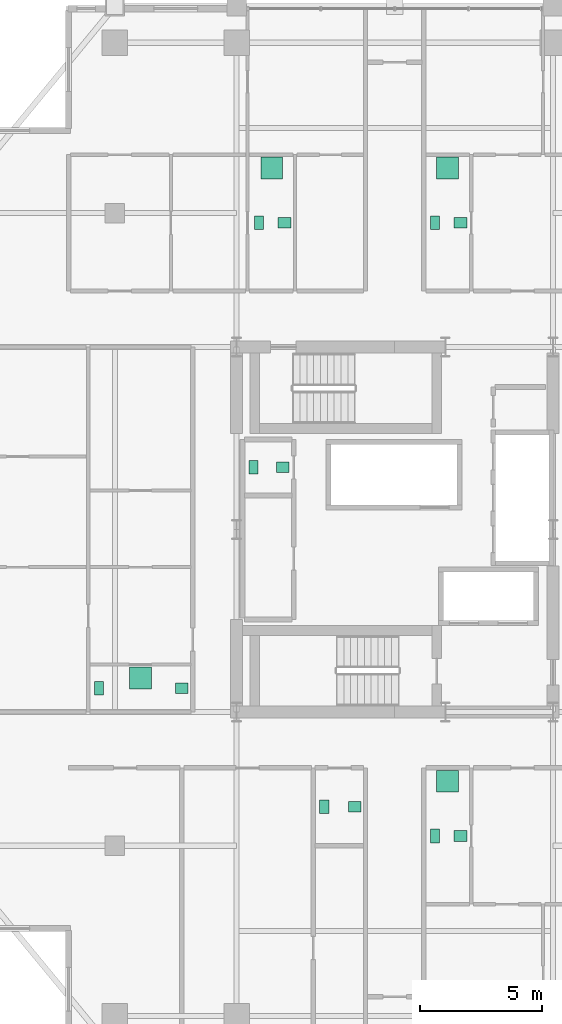
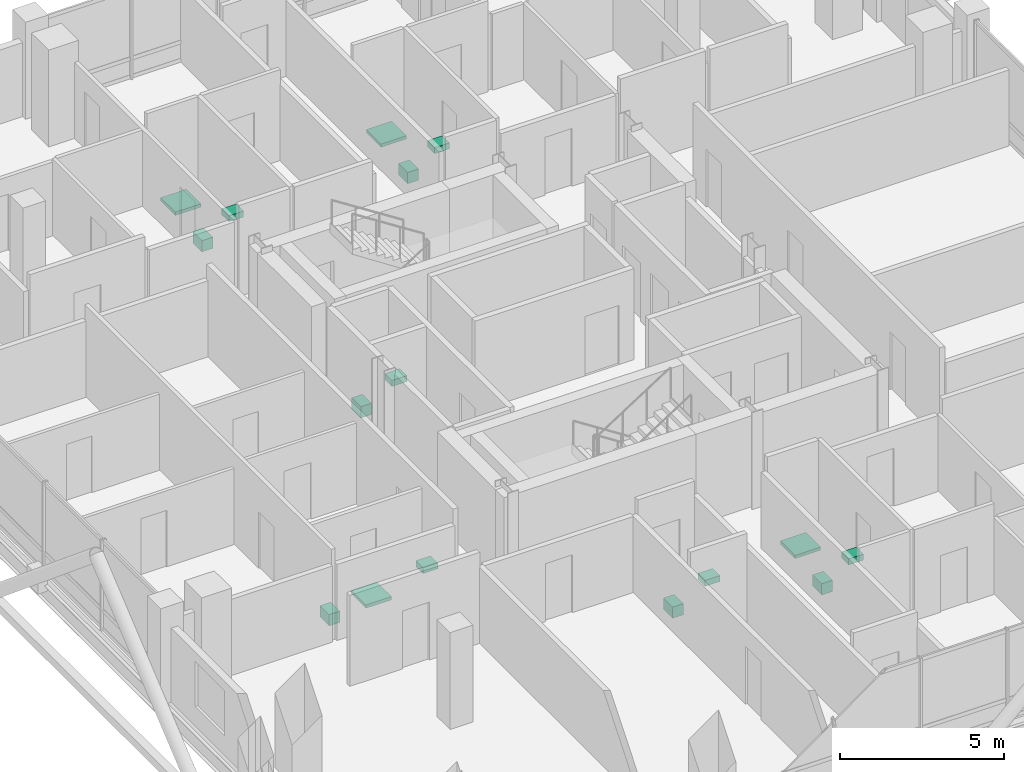
# One storey, part 26 of 26: 16 sanitary terminals.
"""IFC4 building model written with IfcOpenShell, lengths in metres."""

import ifcopenshell
import ifcopenshell.guid

model = None  # the IFC model being written
_history = None  # IfcOwnerHistory: only IFC2X3 demands one
_inside = {}  # id of a spatial element -> (the spatial element, [elements in it])
_under = {}  # id of a project, library or spatial element -> (it, [spatial elements below it])
_declared = {}  # id of a project -> (the project, [libraries it declares])
_typed = {}  # id of a type object -> (the type object, [elements of that type])
_made_of = {}  # id of a material, layer set ... -> (it, [elements and type objects made of it])


def new_model(schema):
    """Start an empty IFC model of exactly this schema.

    Asked for "IFC4X3", IfcOpenShell would pick the latest addendum, in which some entities
    have other attributes; the version numbers below select the first issue.
    IFC2X3 requires an IfcOwnerHistory on every rooted entity: one is made here for all.
    """
    global model, _history
    if schema == "IFC4X3":
        model = ifcopenshell.file(schema_version=(4, 3, 0, 0))
    else:
        model = ifcopenshell.file(schema=schema)
    _inside.clear()
    _under.clear()
    _declared.clear()
    _typed.clear()
    _made_of.clear()
    _history = None
    if model.schema == "IFC2X3":
        org = make("IfcOrganization", Name="unknown")
        user = make(
            "IfcPersonAndOrganization",
            ThePerson=make("IfcPerson", FamilyName="unknown"),
            TheOrganization=org,
        )
        app = make(
            "IfcApplication",
            ApplicationDeveloper=org,
            Version="unknown",
            ApplicationFullName="unknown",
            ApplicationIdentifier="unknown",
        )
        _history = make(
            "IfcOwnerHistory",
            OwningUser=user,
            OwningApplication=app,
            ChangeAction="ADDED",
            CreationDate=0,
        )
    return model


def make(cls, **values):
    """One entity of the class cls with the attributes given. An attribute that is None is left unset."""
    return model.create_entity(
        cls, **{name: value for name, value in values.items() if value is not None}
    )


def rooted(cls, **values):
    """An entity with a GlobalId (a new one), such as an element, a storey or a relation."""
    return make(cls, GlobalId=ifcopenshell.guid.new(), OwnerHistory=_history, **values)


def si_unit(unit_type, name, prefix=None):
    """IfcSIUnit, for example si_unit("LENGTHUNIT", "METRE", prefix="MILLI")."""
    return make("IfcSIUnit", UnitType=unit_type, Prefix=prefix, Name=name)


def assignment(units):
    """IfcUnitAssignment: the units of a project."""
    return None if units is None else make("IfcUnitAssignment", Units=units)


def point(xyz):
    """IfcCartesianPoint."""
    return None if xyz is None else make("IfcCartesianPoint", Coordinates=xyz)


def direction(xyz):
    """IfcDirection."""
    return None if xyz is None else make("IfcDirection", DirectionRatios=xyz)


def frame(location, z_axis=None, x_axis=None):
    """IfcAxis2Placement3D, a coordinate frame: its origin and axes. An axis left out is left unset."""
    return make(
        "IfcAxis2Placement3D",
        Location=point(location),
        Axis=direction(z_axis),
        RefDirection=direction(x_axis),
    )


def frame_2d(location, x_axis=None):
    """IfcAxis2Placement2D, a coordinate frame in the plane: its origin and x axis."""
    return make(
        "IfcAxis2Placement2D", Location=point(location), RefDirection=direction(x_axis)
    )


def origin():
    """The frame at (0, 0, 0) with its axes left unset."""
    return frame((0.0, 0.0, 0.0))


def origin_2d():
    """The frame at (0, 0) in the plane with its x axis left unset."""
    return frame_2d((0.0, 0.0))


def place(relative_to, where):
    """IfcLocalPlacement: puts the frame where relative to a parent placement (None: the world)."""
    return make(
        "IfcLocalPlacement", PlacementRelTo=relative_to, RelativePlacement=where
    )


def context(
    kind, dimensions, precision=None, world=None, true_north=None, identifier=None
):
    """IfcGeometricRepresentationContext, for example the 3D "Model" context."""
    return make(
        "IfcGeometricRepresentationContext",
        ContextIdentifier=identifier,
        ContextType=kind,
        CoordinateSpaceDimension=dimensions,
        Precision=precision,
        WorldCoordinateSystem=world,
        TrueNorth=true_north,
    )


def subcontext(parent, identifier, kind, view, scale=None):
    """IfcGeometricRepresentationSubContext, for example "Body" below "Model"."""
    return make(
        "IfcGeometricRepresentationSubContext",
        ContextIdentifier=identifier,
        ContextType=kind,
        ParentContext=parent,
        TargetScale=scale,
        TargetView=view,
    )


def project(units=None, contexts=None):
    """IfcProject with its units and contexts."""
    return rooted(
        "IfcProject",
        Name="project",
        RepresentationContexts=contexts,
        UnitsInContext=assignment(units),
    )


def spatial(cls, under=None, at=None, **own):
    """A site, building, storey or space (cls), placed at a placement, below another one or the project."""
    s = rooted(cls, ObjectPlacement=at, **own)
    if under is not None:
        _under.setdefault(under.id(), (under, []))[1].append(s)
    return s


def profile(cls, at=None, kind="AREA", **sizes):
    """A parametric profile (cls). Its sizes go by their IFC names, for example OverallWidth=200.0."""
    return make(cls, ProfileType=kind, Position=at, **sizes)


def rectangle(**sizes):
    """IfcRectangleProfileDef."""
    return profile("IfcRectangleProfileDef", **sizes)


def extrude(swept, where, along, depth):
    """IfcExtrudedAreaSolid: the profile swept, set in the frame where, extruded along a direction by depth."""
    return make(
        "IfcExtrudedAreaSolid",
        SweptArea=swept,
        Position=where,
        ExtrudedDirection=direction(along),
        Depth=depth,
    )


def shape(context_of_items, identifier, shape_type, items):
    """IfcShapeRepresentation: the items that make up one representation, for example the "Body"."""
    return make(
        "IfcShapeRepresentation",
        ContextOfItems=context_of_items,
        RepresentationIdentifier=identifier,
        RepresentationType=shape_type,
        Items=items,
    )


def material(Name=None, Category=None):
    """IfcMaterial."""
    return make("IfcMaterial", Name=Name, Category=Category)


def made_of(thing, what):
    """Note that an element or type object is made of a material, layer set ...; save() writes the relation."""
    if what is not None:
        _made_of.setdefault(what.id(), (what, []))[1].append(thing)
    return thing


def type_object(cls, material=None, **own):
    """A type object (cls), such as IfcWallType, which elements share."""
    return made_of(rooted(cls, **own), material)


def element(
    cls,
    number,
    at=None,
    inside=None,
    cuts=None,
    type_object=None,
    material=None,
    context=None,
    identifier="Body",
    shape_type=None,
    held_by="IfcProductDefinitionShape",
    body=None,
    shapes=None,
    **own,
):
    """One element of the class cls, such as IfcWall. Its Tag is "e" and its number.

    at: its placement. inside: the storey or other place that contains it. cuts: it is an
    opening in that element (IfcRelVoidsElement). A single representation is given by context,
    identifier, shape_type and body (its items); several are given by shapes. held_by: the class
    of the entity that holds the representations. save() writes the other relations.
    """
    e = rooted(cls, Tag="e%d" % number, ObjectPlacement=at, **own)
    if body is not None:
        shapes = [shape(context, identifier, shape_type, body)]
    if shapes is not None:
        e.Representation = make(held_by, Representations=shapes)
    if inside is not None:
        _inside.setdefault(inside.id(), (inside, []))[1].append(e)
    if cuts is not None:
        rooted(
            "IfcRelVoidsElement", RelatingBuildingElement=cuts, RelatedOpeningElement=e
        )
    if type_object is not None:
        _typed.setdefault(type_object.id(), (type_object, []))[1].append(e)
    return made_of(e, material)


def aggregate(whole, parts):
    """IfcRelAggregates: a whole, such as a stair, and the parts it consists of."""
    return rooted("IfcRelAggregates", RelatingObject=whole, RelatedObjects=parts)


def save(model, path):
    """Write the relations noted so far, then the file.

    IfcRelAggregates (storeys below a building ...), IfcRelContainedInSpatialStructure (elements
    in a storey), IfcRelDefinesByType, IfcRelAssociatesMaterial and IfcRelDeclares: one each for
    every whole, place, type object, material and project.
    """
    for whole, parts in _under.values():
        aggregate(whole, parts)
    for where, things in _inside.values():
        rooted(
            "IfcRelContainedInSpatialStructure",
            RelatedElements=things,
            RelatingStructure=where,
        )
    for kind, things in _typed.values():
        rooted("IfcRelDefinesByType", RelatedObjects=things, RelatingType=kind)
    for what, things in _made_of.values():
        rooted("IfcRelAssociatesMaterial", RelatedObjects=things, RelatingMaterial=what)
    for by, libraries in _declared.values():
        rooted("IfcRelDeclares", RelatingContext=by, RelatedDefinitions=libraries)
    model.write(path)


model = new_model("IFC4")

# Units and contexts
model_context = context("Model", 3, precision=1e-05, world=origin(), true_north=direction((0.0, 1.0)))
body_context = subcontext(model_context, "Body", "Model", "MODEL_VIEW")
ifc_project = project(units=[si_unit("LENGTHUNIT", "METRE"), si_unit("AREAUNIT", "SQUARE_METRE"), si_unit("VOLUMEUNIT", "CUBIC_METRE"), si_unit("PLANEANGLEUNIT", "RADIAN"), si_unit("MASSUNIT", "GRAM", prefix="KILO")], contexts=[model_context])

# Site, building, storey
site_placement = place(None, origin())
site = spatial("IfcSite", under=ifc_project, at=site_placement, CompositionType="ELEMENT")
building_placement = place(site_placement, origin())
building = spatial("IfcBuilding", under=site, at=building_placement, Name="Barlavira Tower and Art Museum", CompositionType="ELEMENT")
storey_placement = place(building_placement, frame((0.0, 0.0, 187.199951171875)))
storey = spatial("IfcBuildingStorey", under=building, at=storey_placement, Name="L48", CompositionType="ELEMENT", Elevation=187.199951171875)

# Sanitary terminals
ifc_material = material(Name="Vitreous glazed ceramic", Category="ceramic")
sanitary_terminal_type_1 = type_object("IfcSanitaryTerminalType", Name="Countertop Ceramic Wash Hand Basin", PredefinedType="WASHHANDBASIN", material=ifc_material)
for number, where, z_axis, x_axis, name in (
    (1, (-4.60009765625, 2.550048828125, 0.740234375), (0.0, 0.0, 1.0), (1.0, 0.0, 0.0), "L48-C-REC1W Wash Basin"),
    (2, (-1.64990234375, -11.39990234375, 0.740234375), (0.0, 0.0, 1.0), (1.0, 0.0, 0.0), "L48-SW-SWC Wash Basin"),
    (3, (2.699951171875, -12.60009765625, 0.740234375), (0.0, 0.0, 1.0), (1.0, 0.0, 0.0), "L48-SE1-BTH1 Wash Basin"),
    (4, (-4.530029296875, 12.60009765625, 0.740234375), (0.0, 0.0, 1.0), (1.0, 0.0, 0.0), "L48-NW1-BTH1 Wash Basin"),
    (5, (2.699951171875, 12.60009765625, 0.740234375), (0.0, 0.0, 1.0), (1.0, 0.0, 0.0), "L48-NE1-BTH1 Wash Basin"),
    (6, (-8.75, -6.52490234375, 0.740234375), (0.0, 0.0, 1.0), (1.0, 0.0, 0.0), "L48-W1-BTH1 Wash Basin"),
):
    element("IfcSanitaryTerminal", number, at=place(storey_placement, frame(where, z_axis=z_axis, x_axis=x_axis)), inside=storey, type_object=sanitary_terminal_type_1, Name=name, PredefinedType="WASHHANDBASIN", context=body_context, shape_type="SweptSolid", body=[
        extrude(rectangle(XDim=0.52001953125, YDim=0.43994140625, at=origin_2d()), origin(), (0.0, 0.0, 1.0), 0.219970703125),
    ])
sanitary_terminal_type_2 = type_object("IfcSanitaryTerminalType", Name="Walk-In Thermostatic Rain Shower Unit", PredefinedType="SHOWER", material=ifc_material)
for number, where, z_axis, x_axis, name in (
    (7, (2.175048828125, -10.35009765625, 0.0), (0.0, 0.0, 1.0), (1.0, 0.0, 0.0), "L48-SE1-BTH1 Rain Shower"),
    (8, (-5.054931640625, 14.85009765625, 0.0), (0.0, 0.0, 1.0), (1.0, 0.0, 0.0), "L48-NW1-BTH1 Rain Shower"),
    (9, (2.175048828125, 14.85009765625, 0.0), (0.0, 0.0, 1.0), (1.0, 0.0, 0.0), "L48-NE1-BTH1 Rain Shower"),
    (10, (-10.449951171875, -6.10009765625, 0.0), (0.0, 0.0, 1.0), (1.0, 0.0, 0.0), "L48-W1-BTH1 Rain Shower"),
):
    element("IfcSanitaryTerminal", number, at=place(storey_placement, frame(where, z_axis=z_axis, x_axis=x_axis)), inside=storey, type_object=sanitary_terminal_type_2, Name=name, PredefinedType="SHOWER", context=body_context, shape_type="SweptSolid", body=[
        extrude(rectangle(XDim=0.89990234375, YDim=0.89990234375, at=origin_2d()), origin(), (0.0, 0.0, 1.0), 0.1201171875),
    ])
sanitary_terminal_type_3 = type_object("IfcSanitaryTerminalType", Name="Wall-Hung Dual-Flush Vitreous WC Pan", PredefinedType="TOILETPAN", material=ifc_material)
for number, where, z_axis, x_axis, name in (
    (11, (-5.800048828125, 2.550048828125, 0.0), (0.0, 0.0, 1.0), (1.0, 0.0, 0.0), "L48-C-REC1W WC Pan"),
    (12, (-2.89990234375, -11.39990234375, 0.0), (0.0, 0.0, 1.0), (1.0, 0.0, 0.0), "L48-SW-SWC WC Pan"),
    (13, (1.64990234375, -12.60009765625, 0.0), (0.0, 0.0, 1.0), (1.0, 0.0, 0.0), "L48-SE1-BTH1 WC Pan"),
    (14, (-5.580078125, 12.60009765625, 0.0), (0.0, 0.0, 1.0), (1.0, 0.0, 0.0), "L48-NW1-BTH1 WC Pan"),
    (15, (1.64990234375, 12.60009765625, 0.0), (0.0, 0.0, 1.0), (1.0, 0.0, 0.0), "L48-NE1-BTH1 WC Pan"),
    (16, (-12.14990234375, -6.52490234375, 0.0), (0.0, 0.0, 1.0), (1.0, 0.0, 0.0), "L48-W1-BTH1 WC Pan"),
):
    element("IfcSanitaryTerminal", number, at=place(storey_placement, frame(where, z_axis=z_axis, x_axis=x_axis)), inside=storey, type_object=sanitary_terminal_type_3, Name=name, PredefinedType="TOILETPAN", context=body_context, shape_type="SweptSolid", body=[
        extrude(rectangle(XDim=0.3798828125, YDim=0.56005859375, at=origin_2d()), origin(), (0.0, 0.0, 1.0), 0.419921875),
    ])

save(model, "model.ifc")
